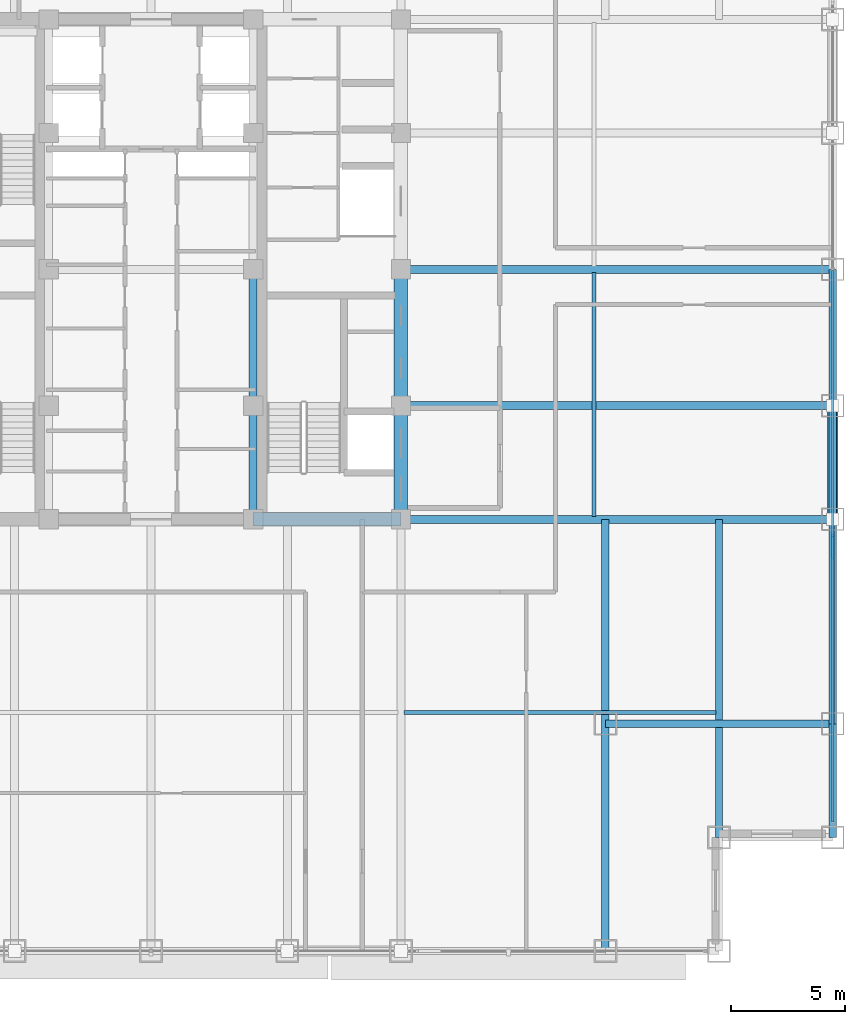
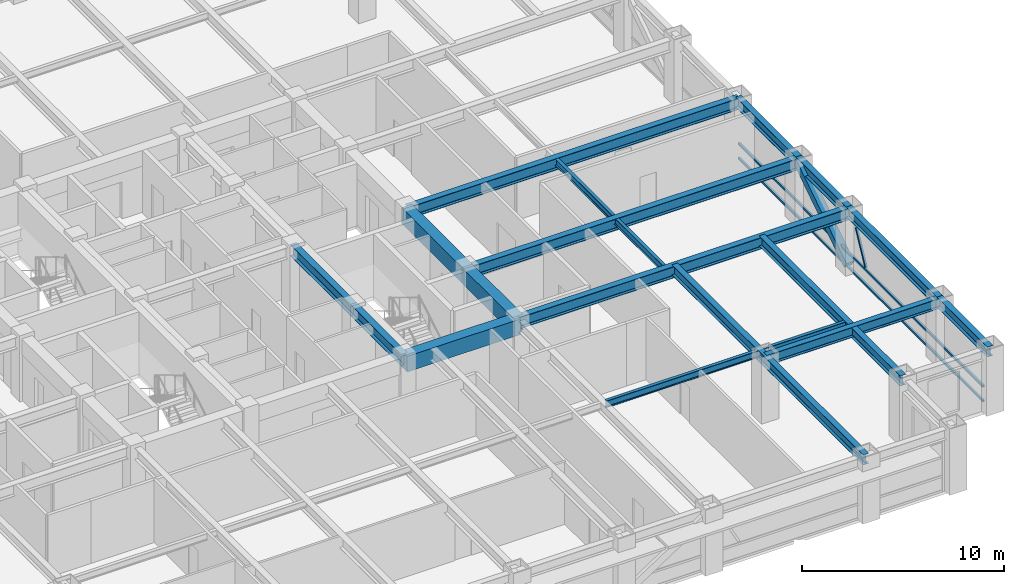
# One storey, part 9 of 29: 17 beams, 5 members, 1 element without a shape of its own.
"""IFC4 building model written with IfcOpenShell, lengths in metres."""

from ifc_helpers import new_model, si_unit, direction, frame, origin, origin_2d, place, context, subcontext, project, spatial, rectangle, hollow_rectangle, i_section, extrude, source, transform, mapped, material, material_profile, profile_set, type_object, element, aggregate, save


model = new_model("IFC4")

# Units and contexts
model_context = context("Model", 3, precision=1e-05, world=origin(), true_north=direction((0.0, 1.0)))
body_context = subcontext(model_context, "Body", "Model", "MODEL_VIEW")
ifc_project = project(units=[si_unit("LENGTHUNIT", "METRE"), si_unit("AREAUNIT", "SQUARE_METRE"), si_unit("VOLUMEUNIT", "CUBIC_METRE"), si_unit("PLANEANGLEUNIT", "RADIAN"), si_unit("MASSUNIT", "GRAM", prefix="KILO")], contexts=[model_context])

# Site, building, storey
site_placement = place(None, origin())
site = spatial("IfcSite", under=ifc_project, at=site_placement, CompositionType="ELEMENT")
building_placement = place(site_placement, origin())
building = spatial("IfcBuilding", under=site, at=building_placement, Name="Khorayat Bourse Tower", CompositionType="ELEMENT")
storey_placement = place(building_placement, frame((0.0, 0.0, 235.10009765625)))
storey = spatial("IfcBuildingStorey", under=building, at=storey_placement, Name="L55", CompositionType="ELEMENT", Elevation=235.10009765625)

# Beams
ifc_material_1 = material(Name="Steel ASTM A992 Grade 50", Category="steel")
ifc_material_profile_1 = material_profile(ifc_material_1, i_section(OverallWidth=0.35498046875, OverallDepth=0.695068359375, WebThickness=0.015380859375, FlangeThickness=0.02490234375, FilletRadius=0.01806640625, at=origin_2d()), Name="W690X217")
ifc_profile_set_1 = profile_set([ifc_material_profile_1], Name="Steel ASTM A992 Grade 50")
beam_type_1 = type_object("IfcBeamType", Name="BM-GIRD-690", PredefinedType="BEAM", material=ifc_profile_set_1)
shared_shape_1 = source(origin(), body_context, "Body", "SweptSolid", [
    extrude(i_section(OverallWidth=0.35498046875, OverallDepth=0.695068359375, WebThickness=0.015380859375, FlangeThickness=0.02490234375, FilletRadius=0.01806640625, at=origin_2d()), origin(), (0.0, 0.0, 1.0), 5.0),
])
beam_1_placement = place(storey_placement, frame((4.5, -11.0, 3.432373046875), z_axis=(0.0, 1.0, 0.0), x_axis=(-1.0, 0.0, 0.0)))
element("IfcBeam", 1, at=beam_1_placement, inside=storey, type_object=beam_type_1, Name="L55 BM-GIRD-690 BM-L55-CRX-09", PredefinedType="BEAM", context=body_context, shape_type="MappedRepresentation", body=[
    mapped(shared_shape_1, transform((0.0, 0.0, 0.0), scale=1.0)),
])
shared_shape_2 = source(origin(), body_context, "Body", "SweptSolid", [
    extrude(i_section(OverallWidth=0.35498046875, OverallDepth=0.695068359375, WebThickness=0.015380859375, FlangeThickness=0.02490234375, FilletRadius=0.01806640625, at=origin_2d()), origin(), (0.0, 0.0, 1.0), 6.0),
])
beam_2_placement = place(storey_placement, frame((4.5, -6.0, 3.432373046875), z_axis=(0.0, 1.0, 0.0), x_axis=(-1.0, 0.0, 0.0)))
element("IfcBeam", 2, at=beam_2_placement, inside=storey, type_object=beam_type_1, Name="L55 BM-GIRD-690 BM-L55-CRX-10", PredefinedType="BEAM", context=body_context, shape_type="MappedRepresentation", body=[
    mapped(shared_shape_2, transform((0.0, 0.0, 0.0), scale=1.0)),
])
ifc_material_profile_2 = material_profile(ifc_material_1, i_section(OverallWidth=0.324951171875, OverallDepth=0.615966796875, WebThickness=0.013916015625, FlangeThickness=0.021484375, FilletRadius=0.01611328125, at=origin_2d()), Name="W610X174")
ifc_profile_set_2 = profile_set([ifc_material_profile_2], Name="Steel ASTM A992 Grade 50")
beam_type_2 = type_object("IfcBeamType", Name="BM-GIRD-610", PredefinedType="BEAM", material=ifc_profile_set_2)
shared_shape_3 = source(origin(), body_context, "Body", "SweptSolid", [
    extrude(i_section(OverallWidth=0.324951171875, OverallDepth=0.615966796875, WebThickness=0.013916015625, FlangeThickness=0.021484375, FilletRadius=0.01611328125, at=origin_2d()), origin(), (0.0, 0.0, 1.0), 19.0),
])
beam_3_placement = place(storey_placement, frame((20.0, -30.0, 3.471923828125), z_axis=(0.0, 1.0, 0.0), x_axis=(-1.0, 0.0, 0.0)))
element("IfcBeam", 3, at=beam_3_placement, inside=storey, type_object=beam_type_2, Name="L55 BM-GIRD-610 BM-L55-CNRY-086", PredefinedType="BEAM", context=body_context, shape_type="MappedRepresentation", body=[
    mapped(shared_shape_3, transform((0.0, 0.0, 0.0), scale=1.0)),
])
shared_shape_4 = source(origin(), body_context, "Body", "SweptSolid", [
    extrude(i_section(OverallWidth=0.324951171875, OverallDepth=0.615966796875, WebThickness=0.013916015625, FlangeThickness=0.021484375, FilletRadius=0.01611328125, at=origin_2d()), origin(), (0.0, 0.0, 1.0), 10.0),
])
beam_4_placement = place(storey_placement, frame((20.0, -20.0, 3.471923828125), z_axis=(1.0, 0.0, 0.0), x_axis=(0.0, 1.0, 0.0)))
element("IfcBeam", 4, at=beam_4_placement, inside=storey, type_object=beam_type_2, Name="L55 BM-GIRD-610 BM-L55-CNRX-092", PredefinedType="BEAM", context=body_context, shape_type="MappedRepresentation", body=[
    mapped(shared_shape_4, transform((0.0, 0.0, 0.0), scale=1.0)),
])
ifc_material_profile_3 = material_profile(ifc_material_1, i_section(OverallWidth=0.180908203125, OverallDepth=0.4169921875, WebThickness=0.010986328125, FlangeThickness=0.018310546875, FilletRadius=0.011962890625, at=origin_2d()), Name="W410X85")
ifc_profile_set_3 = profile_set([ifc_material_profile_3], Name="Steel ASTM A992 Grade 50")
beam_type_3 = type_object("IfcBeamType", Name="BM-JOIST-410", PredefinedType="JOIST", material=ifc_profile_set_3)
shared_shape_5 = source(origin(), body_context, "Body", "SweptSolid", [
    extrude(i_section(OverallWidth=0.180908203125, OverallDepth=0.4169921875, WebThickness=0.010986328125, FlangeThickness=0.018310546875, FilletRadius=0.011962890625, at=origin_2d()), origin(), (0.0, 0.0, 1.0), 10.740234375),
])
beam_5_placement = place(storey_placement, frame((19.5, -10.8701171875, 3.5712890625), z_axis=(0.0, 1.0, 0.0), x_axis=(-1.0, 0.0, 0.0)))
element("IfcBeam", 5, at=beam_5_placement, inside=storey, type_object=beam_type_3, Name="L55 BM-JOIST-410 BM-L55-JSTY-104", PredefinedType="JOIST", context=body_context, shape_type="MappedRepresentation", body=[
    mapped(shared_shape_5, transform((0.0, 0.0, 0.0), scale=1.0)),
])
ifc_material_profile_4 = material_profile(ifc_material_1, i_section(OverallWidth=0.324951171875, OverallDepth=0.615966796875, WebThickness=0.013916015625, FlangeThickness=0.021484375, FilletRadius=0.01611328125, at=origin_2d()), Name="W610X174")
ifc_profile_set_4 = profile_set([ifc_material_profile_4], Name="Steel ASTM A992 Grade 50")
beam_type_4 = type_object("IfcBeamType", Name="BM-SPAN-610", PredefinedType="SPANDREL", material=ifc_profile_set_4)
shared_shape_6 = source(origin(), body_context, "Body", "SweptSolid", [
    extrude(i_section(OverallWidth=0.324951171875, OverallDepth=0.615966796875, WebThickness=0.013916015625, FlangeThickness=0.021484375, FilletRadius=0.01611328125, at=origin_2d()), origin(), (0.0, 0.0, 1.0), 9.0),
])
beam_6_placement = place(storey_placement, frame((30.0, -20.0, 3.471923828125), z_axis=(0.0, 1.0, 0.0), x_axis=(-1.0, 0.0, 0.0)))
element("IfcBeam", 6, at=beam_6_placement, inside=storey, type_object=beam_type_4, Name="L55 BM-SPAN-610 BM-L55-SPN-035", PredefinedType="SPANDREL", context=body_context, shape_type="MappedRepresentation", body=[
    mapped(shared_shape_6, transform((0.0, 0.0, 0.0), scale=1.0)),
])
shared_shape_7 = source(origin(), body_context, "Body", "SweptSolid", [
    extrude(i_section(OverallWidth=0.324951171875, OverallDepth=0.615966796875, WebThickness=0.013916015625, FlangeThickness=0.021484375, FilletRadius=0.01611328125, at=origin_2d()), origin(), (0.0, 0.0, 1.0), 5.0),
])
for number, where, z_axis, x_axis, name in (
    (7, (30.0, -25.0, 3.471923828125), (0.0, 1.0, 0.0), (-1.0, 0.0, 0.0), "L55 BM-SPAN-610 BM-L55-SPN-034"),
    (8, (30.0, -11.0, 3.471923828125), (0.0, 1.0, 0.0), (-1.0, 0.0, 0.0), "L55 BM-SPAN-610 BM-L55-SPN-036"),
):
    element("IfcBeam", number, at=place(storey_placement, frame(where, z_axis=z_axis, x_axis=x_axis)), inside=storey, type_object=beam_type_4, Name=name, PredefinedType="SPANDREL", context=body_context, shape_type="MappedRepresentation", body=[
        mapped(shared_shape_7, transform((0.0, 0.0, 0.0), scale=1.0)),
    ])
shared_shape_8 = source(origin(), body_context, "Body", "SweptSolid", [
    extrude(i_section(OverallWidth=0.324951171875, OverallDepth=0.615966796875, WebThickness=0.013916015625, FlangeThickness=0.021484375, FilletRadius=0.01611328125, at=origin_2d()), origin(), (0.0, 0.0, 1.0), 6.0),
])
beam_7_placement = place(storey_placement, frame((30.0, -6.0, 3.471923828125), z_axis=(0.0, 1.0, 0.0), x_axis=(-1.0, 0.0, 0.0)))
element("IfcBeam", 9, at=beam_7_placement, inside=storey, type_object=beam_type_4, Name="L55 BM-SPAN-610 BM-L55-SPN-037", PredefinedType="SPANDREL", context=body_context, shape_type="MappedRepresentation", body=[
    mapped(shared_shape_8, transform((0.0, 0.0, 0.0), scale=1.0)),
])
ifc_material_2 = material(Name="Concrete C60/75", Category="concrete")
ifc_material_profile_5 = material_profile(ifc_material_2, rectangle(XDim=0.60009765625, YDim=0.949951171875, at=origin_2d()), Name="RC 600x950")
ifc_profile_set_5 = profile_set([ifc_material_profile_5], Name="Concrete C60/75")
beam_type_5 = type_object("IfcBeamType", Name="BM-COUP-950", PredefinedType="BEAM", material=ifc_profile_set_5)
shared_shape_9 = source(origin(), body_context, "Body", "SweptSolid", [
    extrude(rectangle(XDim=0.60009765625, YDim=0.949951171875, at=origin_2d()), origin(), (0.0, 0.0, 1.0), 5.0),
])
beam_8_placement = place(storey_placement, frame((11.0, -11.0, 3.304931640625), z_axis=(0.0, 1.0, 0.0), x_axis=(-1.0, 0.0, 0.0)))
element("IfcBeam", 10, at=beam_8_placement, inside=storey, type_object=beam_type_5, Name="L55 BM-COUP-950 BM-L55-CRX-13", PredefinedType="BEAM", context=body_context, shape_type="MappedRepresentation", body=[
    mapped(shared_shape_9, transform((0.0, 0.0, 0.0), scale=1.0)),
])
shared_shape_10 = source(origin(), body_context, "Body", "SweptSolid", [
    extrude(rectangle(XDim=0.60009765625, YDim=0.949951171875, at=origin_2d()), origin(), (0.0, 0.0, 1.0), 6.0),
])
beam_9_placement = place(storey_placement, frame((11.0, -6.0, 3.304931640625), z_axis=(0.0, 1.0, 0.0), x_axis=(-1.0, 0.0, 0.0)))
element("IfcBeam", 11, at=beam_9_placement, inside=storey, type_object=beam_type_5, Name="L55 BM-COUP-950 BM-L55-CRX-14", PredefinedType="BEAM", context=body_context, shape_type="MappedRepresentation", body=[
    mapped(shared_shape_10, transform((0.0, 0.0, 0.0), scale=1.0)),
])
shared_shape_11 = source(origin(), body_context, "Body", "SweptSolid", [
    extrude(rectangle(XDim=0.60009765625, YDim=0.949951171875, at=origin_2d()), origin(), (0.0, 0.0, 1.0), 6.5),
])
beam_10_placement = place(storey_placement, frame((4.5, -11.0, 3.304931640625), z_axis=(1.0, 0.0, 0.0), x_axis=(0.0, 1.0, 0.0)))
element("IfcBeam", 12, at=beam_10_placement, inside=storey, type_object=beam_type_5, Name="L55 BM-COUP-950 BM-L55-CRY-19", PredefinedType="BEAM", context=body_context, shape_type="MappedRepresentation", body=[
    mapped(shared_shape_11, transform((0.0, 0.0, 0.0), scale=1.0)),
])
shared_shape_12 = source(origin(), body_context, "Body", "SweptSolid", [
    extrude(i_section(OverallWidth=0.35498046875, OverallDepth=0.695068359375, WebThickness=0.015380859375, FlangeThickness=0.02490234375, FilletRadius=0.01806640625, at=origin_2d()), origin(), (0.0, 0.0, 1.0), 19.0),
])
for number, where, z_axis, x_axis, name in (
    (13, (11.0, -11.0, 3.432373046875), (1.0, 0.0, 0.0), (0.0, 1.0, 0.0), "L55 BM-GIRD-690 BM-L55-RADX-074"),
    (14, (11.0, -6.0, 3.432373046875), (1.0, 0.0, 0.0), (0.0, 1.0, 0.0), "L55 BM-GIRD-690 BM-L55-RADX-076"),
    (15, (11.0, 0.0, 3.432373046875), (1.0, 0.0, 0.0), (0.0, 1.0, 0.0), "L55 BM-GIRD-690 BM-L55-RADX-078"),
):
    element("IfcBeam", number, at=place(storey_placement, frame(where, z_axis=z_axis, x_axis=x_axis)), inside=storey, type_object=beam_type_1, Name=name, PredefinedType="BEAM", context=body_context, shape_type="MappedRepresentation", body=[
        mapped(shared_shape_12, transform((0.0, 0.0, 0.0), scale=1.0)),
    ])
shared_shape_13 = source(origin(), body_context, "Body", "SweptSolid", [
    extrude(i_section(OverallWidth=0.324951171875, OverallDepth=0.615966796875, WebThickness=0.013916015625, FlangeThickness=0.021484375, FilletRadius=0.01611328125, at=origin_2d()), origin(), (0.0, 0.0, 1.0), 14.0),
])
beam_11_placement = place(storey_placement, frame((25.0, -25.0, 3.471923828125), z_axis=(0.0, 1.0, 0.0), x_axis=(-1.0, 0.0, 0.0)))
element("IfcBeam", 16, at=beam_11_placement, inside=storey, type_object=beam_type_2, Name="L55 BM-GIRD-610 BM-L55-CNRY-090", PredefinedType="BEAM", context=body_context, shape_type="MappedRepresentation", body=[
    mapped(shared_shape_13, transform((0.0, 0.0, 0.0), scale=1.0)),
])
shared_shape_14 = source(origin(), body_context, "Body", "SweptSolid", [
    extrude(i_section(OverallWidth=0.180908203125, OverallDepth=0.4169921875, WebThickness=0.010986328125, FlangeThickness=0.018310546875, FilletRadius=0.011962890625, at=origin_2d()), origin(), (0.0, 0.0, 1.0), 13.740234375),
])
beam_12_placement = place(storey_placement, frame((11.1298828125, -19.5, 3.5712890625), z_axis=(1.0, 0.0, 0.0), x_axis=(0.0, 1.0, 0.0)))
element("IfcBeam", 17, at=beam_12_placement, inside=storey, type_object=beam_type_3, Name="L55 BM-JOIST-410 BM-L55-JSTX-098", PredefinedType="JOIST", context=body_context, shape_type="MappedRepresentation", body=[
    mapped(shared_shape_14, transform((0.0, 0.0, 0.0), scale=1.0)),
])

# Member
ifc_material_3 = material(Name="Steel EN 10025-4 S460M", Category="steel")
ifc_material_profile_6 = material_profile(ifc_material_3, hollow_rectangle(XDim=0.449951171875, YDim=0.449951171875, WallThickness=0.02490234375, at=origin_2d()), Name="HSS 450x450x25")
ifc_profile_set_6 = profile_set([ifc_material_profile_6], Name="Steel EN 10025-4 S460M")
member_type_1 = type_object("IfcMemberType", Name="MBR-TUBE-450", PredefinedType="BRACE", material=ifc_profile_set_6)
shared_shape_15 = source(origin(), body_context, "Body", "SweptSolid", [
    extrude(hollow_rectangle(XDim=0.449951171875, YDim=0.449951171875, WallThickness=0.02490234375, at=origin_2d()), origin(), (0.0, 0.0, 1.0), 5.979736328125),
])
member_1_placement = place(storey_placement, frame((30.0, -11.0, 0.25), z_axis=(0.0, 0.836160261256, 0.548485202623), x_axis=(-1.0, 0.0, 0.0)))
element("IfcMember", 18, at=member_1_placement, inside=storey, type_object=member_type_1, Name="L55 Perimeter Tube Brace 07", PredefinedType="BRACE", context=body_context, shape_type="MappedRepresentation", body=[
    mapped(shared_shape_15, transform((0.0, 0.0, 0.0), scale=1.0)),
])

# Curtain wall, members
ifc_material_4 = material(Name="Aluminium EN AW-6063 T6", Category="aluminium")
curtain_wall_type = type_object("IfcCurtainWallType", Name="CW-SYS-03", PredefinedType="NOTDEFINED", material=ifc_material_4)
curtain_wall_placement = place(storey_placement, origin())
curtain_wall = element("IfcCurtainWall", 19, at=curtain_wall_placement, inside=storey, type_object=curtain_wall_type, Name="L55 Curtain Wall CW-L55-E1", PredefinedType="NOTDEFINED")
ifc_material_profile_7 = material_profile(ifc_material_4, hollow_rectangle(XDim=0.1201171875, YDim=0.1201171875, WallThickness=0.0048828125, at=origin_2d()), Name="ALU 120x120x5")
ifc_profile_set_7 = profile_set([ifc_material_profile_7], Name="Aluminium EN AW-6063 T6")
member_type_2 = type_object("IfcMemberType", Name="CWM-DIAG-120", PredefinedType="MULLION", material=ifc_profile_set_7)
shared_shape_16 = source(origin(), body_context, "Body", "SweptSolid", [
    extrude(hollow_rectangle(XDim=0.1201171875, YDim=0.1201171875, WallThickness=0.0048828125, at=origin_2d()), origin(), (0.0, 0.0, 1.0), 2.079345703125),
])
member_2_placement = place(storey_placement, frame((30.0, -12.67919921875, 1.08984375), z_axis=(0.0, 0.465760949701, 0.884910581773), x_axis=(-1.0, 0.0, 0.0)))
member_2 = element("IfcMember", 20, at=member_2_placement, type_object=member_type_2, Name="CW-L55-E1 Faceted Diagonal Mullion 1", PredefinedType="MULLION", context=body_context, shape_type="MappedRepresentation", body=[
    mapped(shared_shape_16, transform((0.0, 0.0, 0.0), scale=1.0)),
])
ifc_material_profile_8 = material_profile(ifc_material_4, hollow_rectangle(XDim=0.1201171875, YDim=0.1201171875, WallThickness=0.0048828125, at=origin_2d()), Name="ALU 120x120x5")
ifc_profile_set_8 = profile_set([ifc_material_profile_8], Name="Aluminium EN AW-6063 T6")
member_type_3 = type_object("IfcMemberType", Name="CWT-HORZ-120", PredefinedType="USERDEFINED", material=ifc_profile_set_8)
shared_shape_17 = source(origin(), body_context, "Body", "SweptSolid", [
    extrude(hollow_rectangle(XDim=0.1201171875, YDim=0.1201171875, WallThickness=0.0048828125, at=origin_2d()), origin(), (0.0, 0.0, 1.0), 24.27001953125),
])
member_3_placement = place(storey_placement, frame((30.0, -24.330078125, 0.059814453125), z_axis=(0.0, 1.0, 0.0), x_axis=(-1.0, 0.0, 0.0)))
member_3 = element("IfcMember", 21, at=member_3_placement, type_object=member_type_3, Name="CW-L55-E1 Horizontal Transom 1-1", ObjectType="TRANSOM", PredefinedType="USERDEFINED", context=body_context, shape_type="MappedRepresentation", body=[
    mapped(shared_shape_17, transform((0.0, 0.0, 0.0), scale=1.0)),
])
member_4_placement = place(storey_placement, frame((30.0, -24.330078125, 0.949951171875), z_axis=(0.0, 1.0, 0.0), x_axis=(-1.0, 0.0, 0.0)))
member_4 = element("IfcMember", 22, at=member_4_placement, type_object=member_type_3, Name="CW-L55-E1 Horizontal Transom 1-2", ObjectType="TRANSOM", PredefinedType="USERDEFINED", context=body_context, shape_type="MappedRepresentation", body=[
    mapped(shared_shape_17, transform((0.0, 0.0, 0.0), scale=1.0)),
])
member_5_placement = place(storey_placement, frame((30.0, -24.330078125, 3.06982421875), z_axis=(0.0, 1.0, 0.0), x_axis=(-1.0, 0.0, 0.0)))
member_5 = element("IfcMember", 23, at=member_5_placement, type_object=member_type_3, Name="CW-L55-E1 Horizontal Transom 1-3", ObjectType="TRANSOM", PredefinedType="USERDEFINED", context=body_context, shape_type="MappedRepresentation", body=[
    mapped(shared_shape_17, transform((0.0, 0.0, 0.0), scale=1.0)),
])
aggregate(curtain_wall, [member_3, member_4, member_5, member_2])

save(model, "model.ifc")
